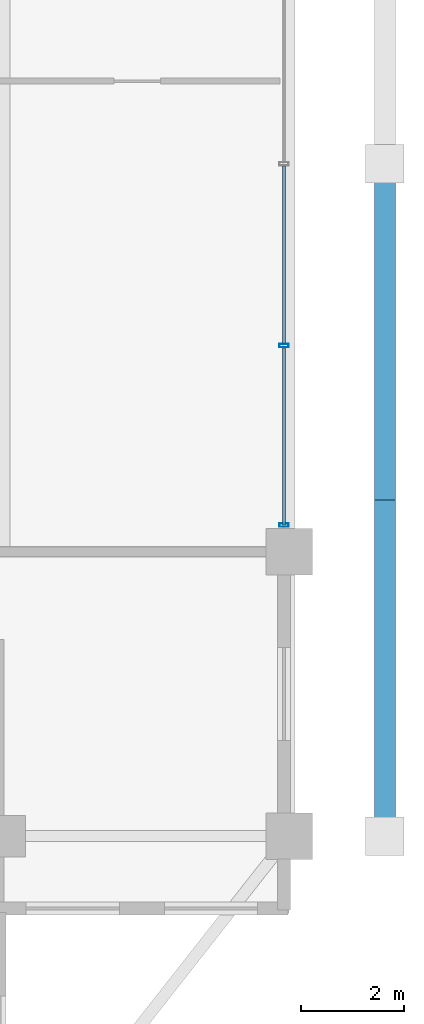
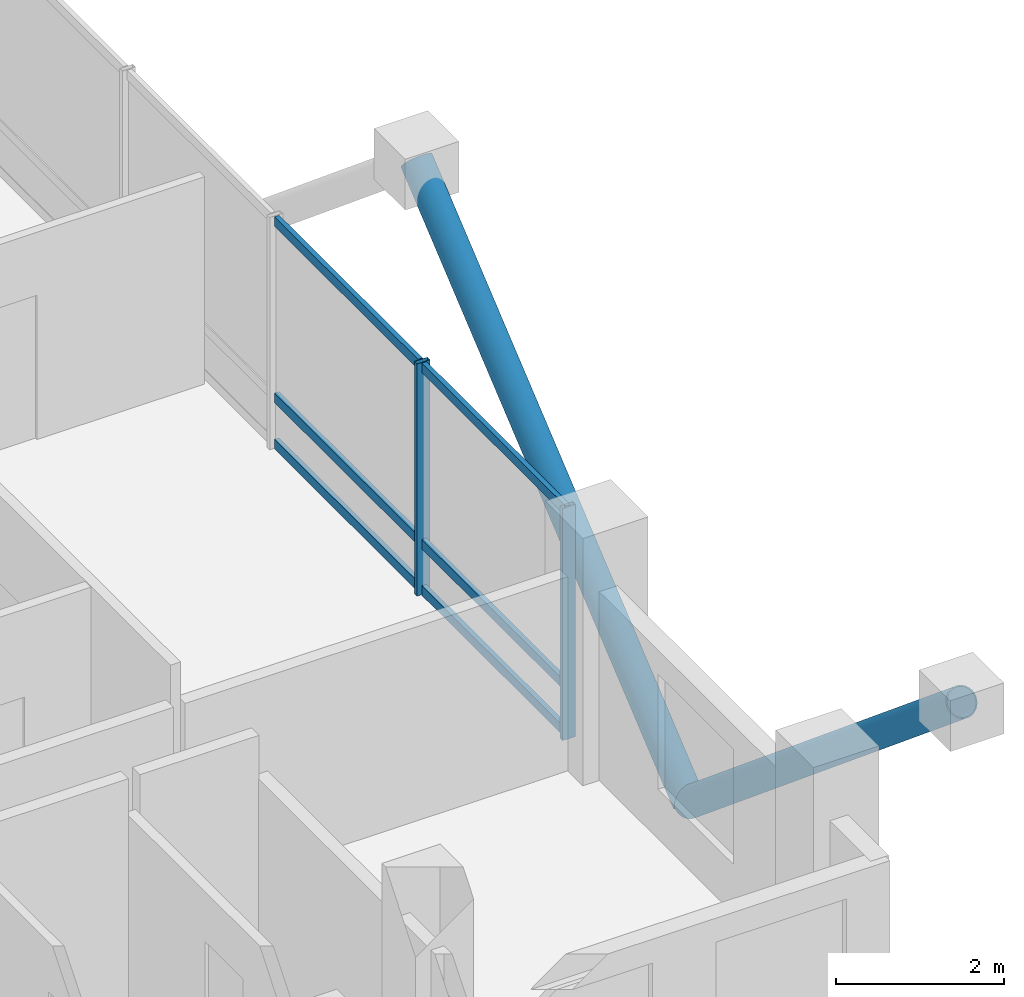
# One storey, part 11 of 23: 10 members, 1 element without a shape of its own.
"""IFC4 building model written with IfcOpenShell, lengths in metres."""

from ifc_helpers import new_model, si_unit, direction, frame, origin, origin_2d, place, context, subcontext, project, spatial, hollow_rectangle, hollow_circle, extrude, material, layer, layer_set, material_profile, profile_set, type_object, element, aggregate, save


model = new_model("IFC4")

# Units and contexts
model_context = context("Model", 3, precision=1e-05, world=origin(), true_north=direction((0.0, 1.0)))
body_context = subcontext(model_context, "Body", "Model", "MODEL_VIEW")
ifc_project = project(units=[si_unit("LENGTHUNIT", "METRE"), si_unit("AREAUNIT", "SQUARE_METRE"), si_unit("VOLUMEUNIT", "CUBIC_METRE"), si_unit("PLANEANGLEUNIT", "RADIAN"), si_unit("MASSUNIT", "GRAM", prefix="KILO")], contexts=[model_context])

# Site, building, storey
site_placement = place(None, origin())
site = spatial("IfcSite", under=ifc_project, at=site_placement, CompositionType="ELEMENT")
building_placement = place(site_placement, origin())
building = spatial("IfcBuilding", under=site, at=building_placement, Name="Barlavira Tower and Art Museum", CompositionType="ELEMENT")
storey_placement = place(building_placement, frame((0.0, 0.0, 236.699951171875)))
storey = spatial("IfcBuildingStorey", under=building, at=storey_placement, Name="L61", CompositionType="ELEMENT", Elevation=236.699951171875)

# Curtain wall, members
ifc_material_1 = material(Name="Low-iron coastal laminated glass", Category="glass")
ifc_layer = layer(ifc_material_1, 0.2099609375, Name="Low-iron coastal laminated glass")
ifc_layer_set = layer_set([ifc_layer], Name="Low-iron coastal laminated glass")
curtain_wall_type = type_object("IfcCurtainWallType", Name="Pale-Metal Unitised Curtain Wall Zone 4", PredefinedType="NOTDEFINED", material=ifc_layer_set)
curtain_wall_placement = place(storey_placement, origin())
curtain_wall = element("IfcCurtainWall", 1, at=curtain_wall_placement, inside=storey, type_object=curtain_wall_type, Name="L61 Curtain Wall CW4-L61-E-B3", PredefinedType="NOTDEFINED")
ifc_material_2 = material(Name="Pale anodised aluminium", Category="aluminium")
ifc_material_profile_1 = material_profile(ifc_material_2, hollow_rectangle(XDim=0.06494140625, YDim=0.179931640625, WallThickness=0.00390625, at=origin_2d()), Name="ALU-MULL 65x180x4")
ifc_profile_set_1 = profile_set([ifc_material_profile_1], Name="Pale anodised aluminium")
member_type_1 = type_object("IfcMemberType", Name="Curtain Wall Pale-Metal Mullion 65x180", PredefinedType="MULLION", material=ifc_profile_set_1)
member_1_placement = place(storey_placement, frame((16.89990234375, -6.985107421875, 0.0), z_axis=(0.0, 0.0, 1.0), x_axis=(0.0, 1.0, 0.0)))
member_1 = element("IfcMember", 2, at=member_1_placement, type_object=member_type_1, Name="CW4-L61-E-B3 Mullion 0", PredefinedType="MULLION", context=body_context, shape_type="SweptSolid", body=[
    extrude(hollow_rectangle(XDim=0.06494140625, YDim=0.179931640625, WallThickness=0.00390625, at=origin_2d()), origin(), (0.0, 0.0, 1.0), 3.380126953125),
])
member_2_placement = place(storey_placement, frame((16.89990234375, -3.514892578125, 0.0), z_axis=(0.0, 0.0, 1.0), x_axis=(0.0, 1.0, 0.0)))
member_2 = element("IfcMember", 3, at=member_2_placement, type_object=member_type_1, Name="CW4-L61-E-B3 Mullion 1", PredefinedType="MULLION", context=body_context, shape_type="SweptSolid", body=[
    extrude(hollow_rectangle(XDim=0.06494140625, YDim=0.179931640625, WallThickness=0.00390625, at=origin_2d()), origin(), (0.0, 0.0, 1.0), 3.380126953125),
])
ifc_material_profile_2 = material_profile(ifc_material_2, hollow_rectangle(XDim=0.06494140625, YDim=0.139892578125, WallThickness=0.00390625, at=origin_2d()), Name="ALU-TRAN 65x140x4")
ifc_profile_set_2 = profile_set([ifc_material_profile_2], Name="Pale anodised aluminium")
member_type_2 = type_object("IfcMemberType", Name="Curtain Wall Pale-Metal Transom 65x140", PredefinedType="USERDEFINED", material=ifc_profile_set_2)
member_3_placement = place(storey_placement, frame((16.89990234375, -6.985107421875, 0.070068359375), z_axis=(0.0, 1.0, 0.0), x_axis=(-1.0, 0.0, 0.0)))
member_3 = element("IfcMember", 4, at=member_3_placement, type_object=member_type_2, Name="CW4-L61-E-B3 Transom 0.1", ObjectType="TRANSOM", PredefinedType="USERDEFINED", context=body_context, shape_type="SweptSolid", body=[
    extrude(hollow_rectangle(XDim=0.06494140625, YDim=0.139892578125, WallThickness=0.00390625, at=origin_2d()), origin(), (0.0, 0.0, 1.0), 3.425048828125),
])
member_4_placement = place(storey_placement, frame((16.89990234375, -6.985107421875, 0.744140625), z_axis=(0.0, 1.0, 0.0), x_axis=(-1.0, 0.0, 0.0)))
member_4 = element("IfcMember", 5, at=member_4_placement, type_object=member_type_2, Name="CW4-L61-E-B3 Transom 0.2", ObjectType="TRANSOM", PredefinedType="USERDEFINED", context=body_context, shape_type="SweptSolid", body=[
    extrude(hollow_rectangle(XDim=0.06494140625, YDim=0.139892578125, WallThickness=0.00390625, at=origin_2d()), origin(), (0.0, 0.0, 1.0), 3.425048828125),
])
member_5_placement = place(storey_placement, frame((16.89990234375, -6.985107421875, 3.31005859375), z_axis=(0.0, 1.0, 0.0), x_axis=(-1.0, 0.0, 0.0)))
member_5 = element("IfcMember", 6, at=member_5_placement, type_object=member_type_2, Name="CW4-L61-E-B3 Transom 0.3", ObjectType="TRANSOM", PredefinedType="USERDEFINED", context=body_context, shape_type="SweptSolid", body=[
    extrude(hollow_rectangle(XDim=0.06494140625, YDim=0.139892578125, WallThickness=0.00390625, at=origin_2d()), origin(), (0.0, 0.0, 1.0), 3.425048828125),
])
member_6_placement = place(storey_placement, frame((16.89990234375, -3.469970703125, 0.070068359375), z_axis=(0.0, 1.0, 0.0), x_axis=(-1.0, 0.0, 0.0)))
member_6 = element("IfcMember", 7, at=member_6_placement, type_object=member_type_2, Name="CW4-L61-E-B3 Transom 1.1", ObjectType="TRANSOM", PredefinedType="USERDEFINED", context=body_context, shape_type="SweptSolid", body=[
    extrude(hollow_rectangle(XDim=0.06494140625, YDim=0.139892578125, WallThickness=0.00390625, at=origin_2d()), origin(), (0.0, 0.0, 1.0), 3.425048828125),
])
member_7_placement = place(storey_placement, frame((16.89990234375, -3.469970703125, 0.744140625), z_axis=(0.0, 1.0, 0.0), x_axis=(-1.0, 0.0, 0.0)))
member_7 = element("IfcMember", 8, at=member_7_placement, type_object=member_type_2, Name="CW4-L61-E-B3 Transom 1.2", ObjectType="TRANSOM", PredefinedType="USERDEFINED", context=body_context, shape_type="SweptSolid", body=[
    extrude(hollow_rectangle(XDim=0.06494140625, YDim=0.139892578125, WallThickness=0.00390625, at=origin_2d()), origin(), (0.0, 0.0, 1.0), 3.425048828125),
])
member_8_placement = place(storey_placement, frame((16.89990234375, -3.469970703125, 3.31005859375), z_axis=(0.0, 1.0, 0.0), x_axis=(-1.0, 0.0, 0.0)))
member_8 = element("IfcMember", 9, at=member_8_placement, type_object=member_type_2, Name="CW4-L61-E-B3 Transom 1.3", ObjectType="TRANSOM", PredefinedType="USERDEFINED", context=body_context, shape_type="SweptSolid", body=[
    extrude(hollow_rectangle(XDim=0.06494140625, YDim=0.139892578125, WallThickness=0.00390625, at=origin_2d()), origin(), (0.0, 0.0, 1.0), 3.425048828125),
])
aggregate(curtain_wall, [member_1, member_2, member_3, member_4, member_5, member_6, member_7, member_8])

# Members
ifc_material_3 = material(Name="Steel S355", Category="steel")
ifc_material_profile_3 = material_profile(ifc_material_3, hollow_circle(Radius=0.203125, WallThickness=0.01611328125, at=origin_2d()), Name="CHS 406.4x16.0")
ifc_profile_set_3 = profile_set([ifc_material_profile_3], Name="Steel S355")
member_type_3 = type_object("IfcMemberType", Name="Pale-Metal Exoskeleton Diagrid Tube CHS 406x16 Steel S355", PredefinedType="BRACE", material=ifc_profile_set_3)
for number, where, z_axis, x_axis, name in (
    (10, (18.85009765625, -6.5, -1.919921875), (0.0, -0.769196053329, 0.639012857104), (1.0, 0.0, 0.0), "L61 Exoskeleton Diagrid Tube E"),
    (11, (18.85009765625, -6.5, -1.919921875), (0.0, 0.769196053329, 0.639012857104), (-1.0, 0.0, 0.0), "L61 Exoskeleton Diagrid Tube E"),
):
    element("IfcMember", number, at=place(storey_placement, frame(where, z_axis=z_axis, x_axis=x_axis)), inside=storey, type_object=member_type_3, Name=name, PredefinedType="BRACE", context=body_context, shape_type="SweptSolid", body=[
        extrude(hollow_circle(Radius=0.203125, WallThickness=0.01611328125, at=origin_2d()), origin(), (0.0, 0.0, 1.0), 8.450439453125),
    ])

save(model, "model.ifc")
